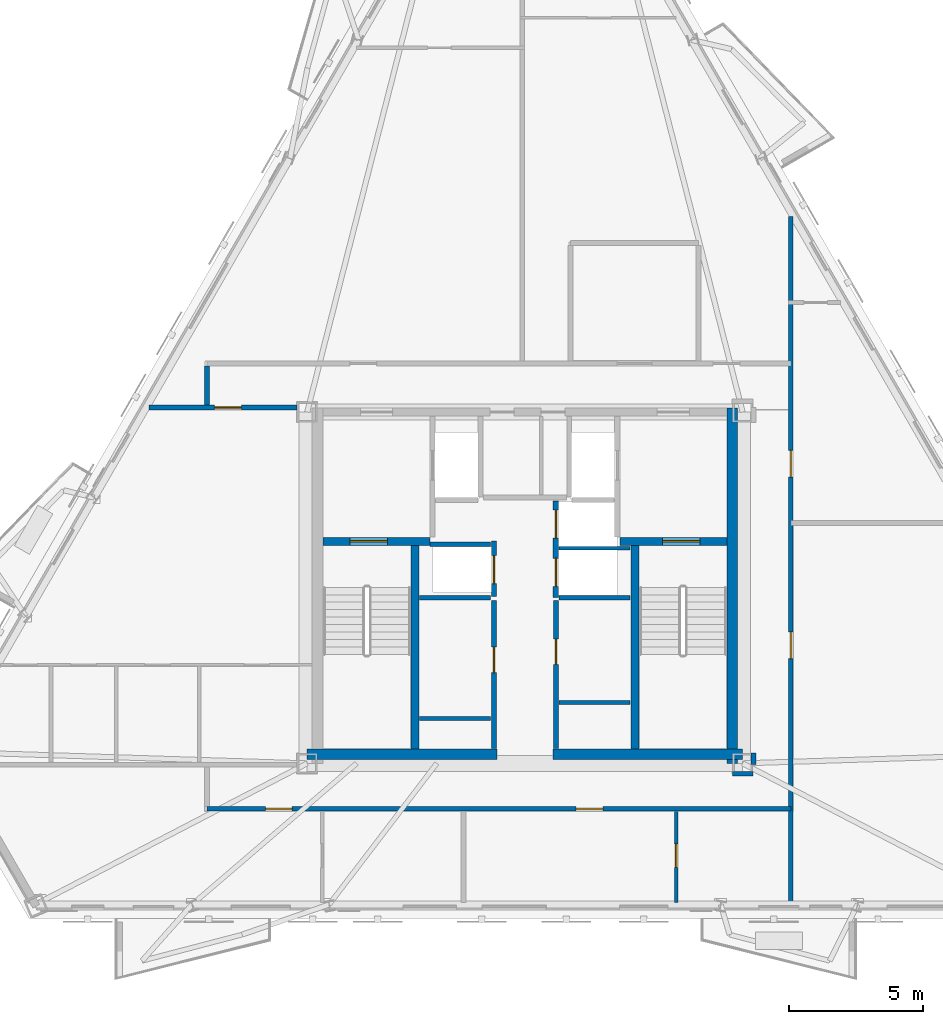
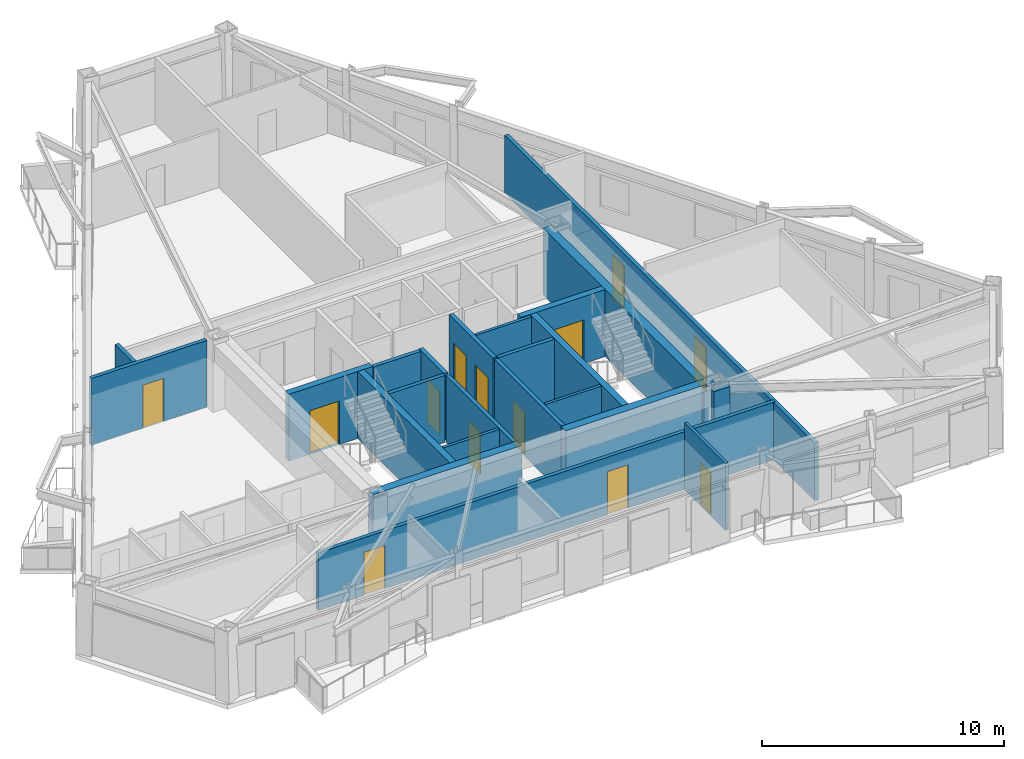
# One storey, part 3 of 8: 24 walls, 13 doors, 13 openings.
"""IFC4 building model written with IfcOpenShell, lengths in metres."""

from ifc_helpers import new_model, si_unit, direction, frame, frame_2d, origin, place, context, subcontext, project, spatial, rectangle, extrude, material, layer, layer_set, type_object, element, fill, save


model = new_model("IFC4")

# Units and contexts
model_context = context("Model", 3, precision=1e-05, world=origin(), true_north=direction((0.0, 1.0)))
body_context = subcontext(model_context, "Body", "Model", "MODEL_VIEW")
ifc_project = project(units=[si_unit("LENGTHUNIT", "METRE"), si_unit("AREAUNIT", "SQUARE_METRE"), si_unit("VOLUMEUNIT", "CUBIC_METRE"), si_unit("PLANEANGLEUNIT", "RADIAN"), si_unit("MASSUNIT", "GRAM", prefix="KILO")], contexts=[model_context])

# Site, building, storey
site_placement = place(None, origin())
site = spatial("IfcSite", under=ifc_project, at=site_placement, CompositionType="ELEMENT")
building_placement = place(site_placement, origin())
building = spatial("IfcBuilding", under=site, at=building_placement, Name="Oramaril Tower", CompositionType="ELEMENT")
storey_placement = place(building_placement, frame((0.0, 0.0, 216.300048828125)))
storey = spatial("IfcBuildingStorey", under=building, at=storey_placement, Name="L57", CompositionType="ELEMENT", Elevation=216.300048828125)

# Walls
ifc_material_1 = material(Name="Acoustic Gypsum Board Partition")
ifc_layer_1 = layer(ifc_material_1, 0.139892578125)
ifc_layer_set_1 = layer_set([ifc_layer_1], Name="WT-PT14")
wall_type_1 = type_object("IfcWallType", Name="WT-PT14", PredefinedType="PARTITIONING", material=ifc_layer_set_1)
for number, where, z_axis, x_axis, name in (
    (1, (33.56005859375, 12.679931640625, 0.0), (0.0, 0.0, 1.0), (1.0, 0.0, 0.0), "L57 Freed Shaft South Closure"),
    (2, (38.780029296875, 19.050048828125, 0.0), (0.0, 0.0, 1.0), (1.0, 0.0, 0.0), "L57 High-Rise Lift H2-H3 Divider"),
    (3, (38.780029296875, 13.280029296875, 0.0), (0.0, 0.0, 1.0), (1.0, 0.0, 0.0), "L57 Freed Shaft South Closure"),
):
    element("IfcWall", number, at=place(storey_placement, frame(where, z_axis=z_axis, x_axis=x_axis)), inside=storey, type_object=wall_type_1, Name=name, PredefinedType="PARTITIONING", context=body_context, shape_type="SweptSolid", body=[
        extrude(rectangle(XDim=2.659912109375, YDim=0.139892578125, at=frame_2d((1.330078125, 0.0))), origin(), (0.0, 0.0, 1.0), 3.3798828125),
    ])

# Wall, opening, door
wall_1_placement = place(storey_placement, frame((43.159912109375, 5.80078125, 0.0), z_axis=(0.0, 0.0, 1.0), x_axis=(0.0, 1.0, 0.0)))
wall_1 = element("IfcWall", 4, at=wall_1_placement, inside=storey, type_object=wall_type_1, Name="L57 Interior Partition PT-14", PredefinedType="PARTITIONING", context=body_context, shape_type="SweptSolid", body=[
    extrude(rectangle(XDim=3.4052734375, YDim=0.139892578125, at=frame_2d((1.70263671875, 0.0))), origin(), (0.0, 0.0, 1.0), 3.3798828125),
])
opening_1_placement = place(wall_1_placement, frame((1.310302734375, 0.0, 0.0)))
opening_1 = element("IfcOpeningElement", 5, at=opening_1_placement, cuts=wall_1, Name="Opening D-L57-15", PredefinedType="OPENING", context=body_context, shape_type="SweptSolid", body=[
    extrude(rectangle(XDim=0.8798828125, YDim=2.080078125, at=frame_2d((0.43994140625, 1.0400390625))), frame((0.0, 0.06982421875, 0.0), z_axis=(0.0, -1.0, 0.0), x_axis=(1.0, 0.0, 0.0)), (0.0, 0.0, 1.0), 0.139892578125),
])
ifc_material_2 = material(Name="FSC Brazilian Freijo Hardwood", Category="wood")
door_type_1 = type_object("IfcDoorType", Name="DT-BATH", OperationType="NOTDEFINED", PredefinedType="DOOR", material=ifc_material_2)
door_1_placement = place(opening_1_placement, origin())
door_1 = element("IfcDoor", 6, at=door_1_placement, inside=storey, type_object=door_type_1, Name="L57 Flat L57-U2 Bathroom Door D-L57-15", OperationType="SINGLE_SWING_LEFT", OverallHeight=2.080078125, OverallWidth=0.8798828125, PredefinedType="DOOR", context=body_context, shape_type="SweptSolid", body=[
    extrude(rectangle(XDim=0.8798828125, YDim=2.080078125, at=frame_2d((0.43994140625, 1.0400390625))), frame((0.0, 0.02490234375, 0.0), z_axis=(0.0, -1.0, 0.0), x_axis=(1.0, 0.0, 0.0)), (0.0, 0.0, 1.0), 0.050048828125),
])
fill(opening_1, door_1)

# Walls
ifc_material_3 = material(Name="Autoclaved Cellular Concrete Block", Category="concrete")
ifc_layer_2 = layer(ifc_material_3, 0.179931640625)
ifc_layer_set_2 = layer_set([ifc_layer_2], Name="WT-PT18")
wall_type_2 = type_object("IfcWallType", Name="WT-PT18", PredefinedType="PARTITIONING", material=ifc_layer_set_2)
wall_2_placement = place(storey_placement, frame((33.949951171875, 19.199951171875, 0.0), z_axis=(0.0, 0.0, 1.0), x_axis=(1.0, 0.0, 0.0)))
element("IfcWall", 7, at=wall_2_placement, inside=storey, type_object=wall_type_2, Name="L57 High-Rise Lift H1 North Shaft Wall", PredefinedType="PARTITIONING", context=body_context, shape_type="SweptSolid", body=[
    extrude(rectangle(XDim=2.27001953125, YDim=0.179931640625, at=frame_2d((1.135009765625, 0.0))), origin(), (0.0, 0.0, 1.0), 3.3798828125),
])
wall_3_placement = place(storey_placement, frame((33.56005859375, 17.199951171875, 0.0), z_axis=(0.0, 0.0, 1.0), x_axis=(1.0, 0.0, 0.0)))
element("IfcWall", 8, at=wall_3_placement, inside=storey, type_object=wall_type_2, Name="L57 High-Rise Lift H1 South Wall", PredefinedType="PARTITIONING", context=body_context, shape_type="SweptSolid", body=[
    extrude(rectangle(XDim=2.659912109375, YDim=0.179931640625, at=frame_2d((1.330078125, 0.0))), origin(), (0.0, 0.0, 1.0), 3.3798828125),
])

# Wall, opening, door
wall_4_placement = place(storey_placement, frame((36.340087890625, 11.550048828125, 0.0), z_axis=(0.0, 0.0, 1.0), x_axis=(0.0, 1.0, 0.0)))
wall_4 = element("IfcWall", 9, at=wall_4_placement, inside=storey, type_object=wall_type_2, Name="L57 Freed Shaft Study East Wall", PredefinedType="PARTITIONING", context=body_context, shape_type="SweptSolid", body=[
    extrude(rectangle(XDim=5.550048828125, YDim=0.179931640625, at=frame_2d((2.77490234375, 0.0))), origin(), (0.0, 0.0, 1.0), 3.3798828125),
])
opening_2_placement = place(wall_4_placement, frame((2.85009765625, 0.0, 0.0)))
opening_2 = element("IfcOpeningElement", 10, at=opening_2_placement, cuts=wall_4, Name="Opening D-L57-FL1", PredefinedType="OPENING", context=body_context, shape_type="SweptSolid", body=[
    extrude(rectangle(XDim=0.949951171875, YDim=2.10009765625, at=frame_2d((0.47509765625, 1.050048828125))), frame((0.0, 0.08984375, 0.0), z_axis=(0.0, -1.0, 0.0), x_axis=(1.0, 0.0, 0.0)), (0.0, 0.0, 1.0), 0.179931640625),
])
ifc_material_4 = material(Name="FSC Brazilian Freijo Hardwood", Category="wood")
door_type_2 = type_object("IfcDoorType", Name="DT-STDY", OperationType="NOTDEFINED", PredefinedType="DOOR", material=ifc_material_4)
door_2_placement = place(opening_2_placement, origin())
door_2 = element("IfcDoor", 11, at=door_2_placement, inside=storey, type_object=door_type_2, Name="L57 L57 Residents Library Study Door", OperationType="SINGLE_SWING_LEFT", OverallHeight=2.10009765625, OverallWidth=0.949951171875, PredefinedType="DOOR", context=body_context, shape_type="SweptSolid", body=[
    extrude(rectangle(XDim=0.949951171875, YDim=2.10009765625, at=frame_2d((0.47509765625, 1.050048828125))), frame((0.0, 0.02490234375, 0.0), z_axis=(0.0, -1.0, 0.0), x_axis=(1.0, 0.0, 0.0)), (0.0, 0.0, 1.0), 0.050048828125),
])
fill(opening_2, door_2)

# Wall
wall_5_placement = place(storey_placement, frame((38.780029296875, 17.199951171875, 0.0), z_axis=(0.0, 0.0, 1.0), x_axis=(1.0, 0.0, 0.0)))
element("IfcWall", 12, at=wall_5_placement, inside=storey, type_object=wall_type_2, Name="L57 High-Rise Lift H2 South Wall", PredefinedType="PARTITIONING", context=body_context, shape_type="SweptSolid", body=[
    extrude(rectangle(XDim=2.659912109375, YDim=0.179931640625, at=frame_2d((1.330078125, 0.0))), origin(), (0.0, 0.0, 1.0), 3.3798828125),
])

# Wall, opening, door
wall_6_placement = place(storey_placement, frame((38.659912109375, 11.550048828125, 0.0), z_axis=(0.0, 0.0, 1.0), x_axis=(0.0, 1.0, 0.0)))
wall_6 = element("IfcWall", 13, at=wall_6_placement, inside=storey, type_object=wall_type_2, Name="L57 Freed Shaft Alcove West Wall", PredefinedType="PARTITIONING", context=body_context, shape_type="SweptSolid", body=[
    extrude(rectangle(XDim=5.550048828125, YDim=0.179931640625, at=frame_2d((2.77490234375, 0.0))), origin(), (0.0, 0.0, 1.0), 3.3798828125),
])
opening_3_placement = place(wall_6_placement, frame((3.14990234375, 0.0, 0.0)))
opening_3 = element("IfcOpeningElement", 14, at=opening_3_placement, cuts=wall_6, Name="Opening D-L57-FM1", PredefinedType="OPENING", context=body_context, shape_type="SweptSolid", body=[
    extrude(rectangle(XDim=0.949951171875, YDim=2.10009765625, at=frame_2d((0.47509765625, 1.050048828125))), frame((0.0, 0.08984375, 0.0), z_axis=(0.0, -1.0, 0.0), x_axis=(1.0, 0.0, 0.0)), (0.0, 0.0, 1.0), 0.179931640625),
])
door_3_placement = place(opening_3_placement, origin())
door_3 = element("IfcDoor", 15, at=door_3_placement, inside=storey, type_object=door_type_2, Name="L57 L57 Sky Consulting Office Door", OperationType="SINGLE_SWING_RIGHT", OverallHeight=2.10009765625, OverallWidth=0.949951171875, PredefinedType="DOOR", context=body_context, shape_type="SweptSolid", body=[
    extrude(rectangle(XDim=0.949951171875, YDim=2.10009765625, at=frame_2d((0.47509765625, 1.050048828125))), frame((0.0, 0.02490234375, 0.0), z_axis=(0.0, -1.0, 0.0), x_axis=(1.0, 0.0, 0.0)), (0.0, 0.0, 1.0), 0.050048828125),
])
fill(opening_3, door_3)

# Wall, openings, doors
wall_7_placement = place(storey_placement, frame((25.60009765625, 9.300048828125, 0.0), z_axis=(0.0, 0.0, 1.0), x_axis=(1.0, 0.0, 0.0)))
wall_7 = element("IfcWall", 16, at=wall_7_placement, inside=storey, type_object=wall_type_2, Name="L57 Interior Partition PT-18", PredefinedType="PARTITIONING", context=body_context, shape_type="SweptSolid", body=[
    extrude(rectangle(XDim=21.849853515625, YDim=0.179931640625, at=frame_2d((10.9248046875, 0.0))), origin(), (0.0, 0.0, 1.0), 2.912841796875),
])
opening_4_placement = place(wall_7_placement, frame((2.19140625, 0.0, 0.0)))
opening_4 = element("IfcOpeningElement", 17, at=opening_4_placement, cuts=wall_7, Name="Opening D-L57-01", PredefinedType="OPENING", context=body_context, shape_type="SweptSolid", body=[
    extrude(rectangle(XDim=1.0, YDim=2.179931640625, at=frame_2d((0.5, 1.08984375))), frame((0.0, 0.08984375, 0.0), z_axis=(0.0, -1.0, 0.0), x_axis=(1.0, 0.0, 0.0)), (0.0, 0.0, 1.0), 0.179931640625),
])
opening_5_placement = place(wall_7_placement, frame((13.816650390625, 0.0, 0.0)))
opening_5 = element("IfcOpeningElement", 18, at=opening_5_placement, cuts=wall_7, Name="Opening D-L57-02", PredefinedType="OPENING", context=body_context, shape_type="SweptSolid", body=[
    extrude(rectangle(XDim=1.0, YDim=2.179931640625, at=frame_2d((0.5, 1.08984375))), frame((0.0, 0.08984375, 0.0), z_axis=(0.0, -1.0, 0.0), x_axis=(1.0, 0.0, 0.0)), (0.0, 0.0, 1.0), 0.179931640625),
])
ifc_material_5 = material(Name="FSC Brazilian Freijo Hardwood", Category="wood")
door_type_3 = type_object("IfcDoorType", Name="DT-APT", OperationType="NOTDEFINED", PredefinedType="DOOR", material=ifc_material_5)
door_4_placement = place(opening_4_placement, origin())
door_4 = element("IfcDoor", 19, at=door_4_placement, inside=storey, type_object=door_type_3, Name="L57 Flat L57-U1 Kitchen and Studio Apartment Door D-L57-01", OperationType="SINGLE_SWING_LEFT", OverallHeight=2.179931640625, OverallWidth=1.0, PredefinedType="DOOR", context=body_context, shape_type="SweptSolid", body=[
    extrude(rectangle(XDim=1.0, YDim=2.179931640625, at=frame_2d((0.5, 1.08984375))), frame((0.0, 0.02490234375, 0.0), z_axis=(0.0, -1.0, 0.0), x_axis=(1.0, 0.0, 0.0)), (0.0, 0.0, 1.0), 0.050048828125),
])
fill(opening_4, door_4)
door_5_placement = place(opening_5_placement, origin())
door_5 = element("IfcDoor", 20, at=door_5_placement, inside=storey, type_object=door_type_3, Name="L57 Flat L57-U2 Kitchen and Studio Apartment Door D-L57-02", OperationType="SINGLE_SWING_RIGHT", OverallHeight=2.179931640625, OverallWidth=1.0, PredefinedType="DOOR", context=body_context, shape_type="SweptSolid", body=[
    extrude(rectangle(XDim=1.0, YDim=2.179931640625, at=frame_2d((0.5, 1.08984375))), frame((0.0, 0.02490234375, 0.0), z_axis=(0.0, -1.0, 0.0), x_axis=(1.0, 0.0, 0.0)), (0.0, 0.0, 1.0), 0.050048828125),
])
fill(opening_5, door_5)

# Wall
wall_8_placement = place(storey_placement, frame((45.260009765625, 10.610107421875, 0.0), z_axis=(0.0, 0.0, 1.0), x_axis=(1.0, 0.0, 0.0)))
element("IfcWall", 21, at=wall_8_placement, inside=storey, type_object=wall_type_2, Name="L57 Interior Partition PT-18", PredefinedType="PARTITIONING", context=body_context, shape_type="SweptSolid", body=[
    extrude(rectangle(XDim=0.780029296875, YDim=0.179931640625, at=frame_2d((0.39013671875, 0.0))), origin(), (0.0, 0.0, 1.0), 3.3798828125),
])

# Wall, opening, door
wall_9_placement = place(storey_placement, frame((23.425048828125, 24.320068359375, 0.0), z_axis=(0.0, 0.0, 1.0), x_axis=(1.0, 0.0, 0.0)))
wall_9 = element("IfcWall", 22, at=wall_9_placement, inside=storey, type_object=wall_type_2, Name="L57 Interior Partition PT-18", PredefinedType="PARTITIONING", context=body_context, shape_type="SweptSolid", body=[
    extrude(rectangle(XDim=5.534912109375, YDim=0.179931640625, at=frame_2d((2.767578125, 0.0))), origin(), (0.0, 0.0, 1.0), 3.3798828125),
])
opening_6_placement = place(wall_9_placement, frame((2.463134765625, 0.0, 0.0)))
opening_6 = element("IfcOpeningElement", 23, at=opening_6_placement, cuts=wall_9, Name="Opening D-L57-07", PredefinedType="OPENING", context=body_context, shape_type="SweptSolid", body=[
    extrude(rectangle(XDim=1.0, YDim=2.179931640625, at=frame_2d((0.5, 1.08984375))), frame((0.0, 0.08984375, 0.0), z_axis=(0.0, -1.0, 0.0), x_axis=(1.0, 0.0, 0.0)), (0.0, 0.0, 1.0), 0.179931640625),
])
door_6_placement = place(opening_6_placement, origin())
door_6 = element("IfcDoor", 24, at=door_6_placement, inside=storey, type_object=door_type_3, Name="L57 Flat L57-U3 Penthouse Living and Dining Room Door D-L57-07", OperationType="SINGLE_SWING_LEFT", OverallHeight=2.179931640625, OverallWidth=1.0, PredefinedType="DOOR", context=body_context, shape_type="SweptSolid", body=[
    extrude(rectangle(XDim=1.0, YDim=2.179931640625, at=frame_2d((0.5, 1.08984375))), frame((0.0, 0.02490234375, 0.0), z_axis=(0.0, -1.0, 0.0), x_axis=(1.0, 0.0, 0.0)), (0.0, 0.0, 1.0), 0.050048828125),
])
fill(opening_6, door_6)

# Walls
wall_10_placement = place(storey_placement, frame((25.60009765625, 24.4140625, 0.0), z_axis=(0.0, 0.0, 1.0), x_axis=(0.0, 1.0, 0.0)))
element("IfcWall", 25, at=wall_10_placement, inside=storey, type_object=wall_type_2, Name="L57 Interior Partition PT-18", PredefinedType="PARTITIONING", context=body_context, shape_type="SweptSolid", body=[
    extrude(rectangle(XDim=1.4619140625, YDim=0.179931640625, at=frame_2d((0.73095703125, 0.0))), origin(), (0.0, 0.0, 1.0), 3.3798828125),
])
wall_11_placement = place(storey_placement, frame((46.050048828125, 10.949951171875, 0.0), z_axis=(0.0, 0.0, 1.0), x_axis=(0.0, 1.0, 0.0)))
element("IfcWall", 26, at=wall_11_placement, inside=storey, type_object=wall_type_2, Name="L57 Interior Partition PT-18", PredefinedType="PARTITIONING", context=body_context, shape_type="SweptSolid", body=[
    extrude(rectangle(XDim=0.445068359375, YDim=0.179931640625, at=frame_2d((0.22265625, 0.0))), origin(), (0.0, 0.0, 1.0), 2.912841796875),
])

# Wall, openings, doors
wall_12_placement = place(storey_placement, frame((47.449951171875, 5.80078125, 0.0), z_axis=(0.0, 0.0, 1.0), x_axis=(0.0, 1.0, 0.0)))
wall_12 = element("IfcWall", 27, at=wall_12_placement, inside=storey, type_object=wall_type_2, Name="L57 Interior Partition PT-18", PredefinedType="PARTITIONING", context=body_context, shape_type="SweptSolid", body=[
    extrude(rectangle(XDim=25.663818359375, YDim=0.179931640625, at=frame_2d((12.83203125, 0.0))), origin(), (0.0, 0.0, 1.0), 2.912841796875),
])
opening_7_placement = place(wall_12_placement, frame((9.12158203125, 0.0, 0.0)))
opening_7 = element("IfcOpeningElement", 28, at=opening_7_placement, cuts=wall_12, Name="Opening D-L57-16", PredefinedType="OPENING", context=body_context, shape_type="SweptSolid", body=[
    extrude(rectangle(XDim=1.0, YDim=2.179931640625, at=frame_2d((0.5, 1.08984375))), frame((0.0, 0.08984375, 0.0), z_axis=(0.0, -1.0, 0.0), x_axis=(1.0, 0.0, 0.0)), (0.0, 0.0, 1.0), 0.179931640625),
])
opening_8_placement = place(wall_12_placement, frame((15.91162109375, 0.0, 0.0)))
opening_8 = element("IfcOpeningElement", 29, at=opening_8_placement, cuts=wall_12, Name="Opening D-L57-17", PredefinedType="OPENING", context=body_context, shape_type="SweptSolid", body=[
    extrude(rectangle(XDim=1.0, YDim=2.179931640625, at=frame_2d((0.5, 1.08984375))), frame((0.0, 0.08984375, 0.0), z_axis=(0.0, -1.0, 0.0), x_axis=(1.0, 0.0, 0.0)), (0.0, 0.0, 1.0), 0.179931640625),
])
door_7_placement = place(opening_7_placement, origin())
door_7 = element("IfcDoor", 30, at=door_7_placement, inside=storey, type_object=door_type_3, Name="L57 Flat L57-U4 Penthouse Living and Dining Room Door D-L57-16", OperationType="SINGLE_SWING_RIGHT", OverallHeight=2.179931640625, OverallWidth=1.0, PredefinedType="DOOR", context=body_context, shape_type="SweptSolid", body=[
    extrude(rectangle(XDim=1.0, YDim=2.179931640625, at=frame_2d((0.5, 1.08984375))), frame((0.0, 0.02490234375, 0.0), z_axis=(0.0, -1.0, 0.0), x_axis=(1.0, 0.0, 0.0)), (0.0, 0.0, 1.0), 0.050048828125),
])
fill(opening_7, door_7)
door_8_placement = place(opening_8_placement, origin())
door_8 = element("IfcDoor", 31, at=door_8_placement, inside=storey, type_object=door_type_3, Name="L57 Flat L57-U5 Kitchen and Studio Apartment Door D-L57-17", OperationType="SINGLE_SWING_LEFT", OverallHeight=2.179931640625, OverallWidth=1.0, PredefinedType="DOOR", context=body_context, shape_type="SweptSolid", body=[
    extrude(rectangle(XDim=1.0, YDim=2.179931640625, at=frame_2d((0.5, 1.08984375))), frame((0.0, 0.02490234375, 0.0), z_axis=(0.0, -1.0, 0.0), x_axis=(1.0, 0.0, 0.0)), (0.0, 0.0, 1.0), 0.050048828125),
])
fill(opening_8, door_8)

# Wall, opening, door
ifc_material_6 = material(Name="Concrete C50/60", Category="concrete")
ifc_layer_3 = layer(ifc_material_6, 0.300048828125)
ifc_layer_set_3 = layer_set([ifc_layer_3], Name="WT-SH30")
wall_type_3 = type_object("IfcWallType", Name="WT-SH30", PredefinedType="SHEAR", material=ifc_layer_set_3)
wall_13_placement = place(storey_placement, frame((29.93994140625, 19.31005859375, 0.0), z_axis=(0.0, 0.0, 1.0), x_axis=(1.0, 0.0, 0.0)))
wall_13 = element("IfcWall", 32, at=wall_13_placement, inside=storey, type_object=wall_type_3, Name="L57 Core Shear Wall CW-ST1N", PredefinedType="SHEAR", context=body_context, shape_type="SweptSolid", body=[
    extrude(rectangle(XDim=4.010009765625, YDim=0.300048828125, at=frame_2d((2.0048828125, 0.0))), origin(), (0.0, 0.0, 1.0), 3.3798828125),
])
opening_9_placement = place(wall_13_placement, frame((1.010009765625, 0.0, 0.0)))
opening_9 = element("IfcOpeningElement", 33, at=opening_9_placement, cuts=wall_13, Name="Opening D-L57-ST1", PredefinedType="OPENING", context=body_context, shape_type="SweptSolid", body=[
    extrude(rectangle(XDim=1.39990234375, YDim=2.199951171875, at=frame_2d((0.699951171875, 1.10009765625))), frame((0.0, 0.14990234375, 0.0), z_axis=(0.0, -1.0, 0.0), x_axis=(1.0, 0.0, 0.0)), (0.0, 0.0, 1.0), 0.300048828125),
])
ifc_material_7 = material(Name="Painted Galvanised Steel", Category="steel")
door_type_4 = type_object("IfcDoorType", Name="DT-ST", OperationType="NOTDEFINED", PredefinedType="DOOR", material=ifc_material_7)
door_9_placement = place(opening_9_placement, origin())
door_9 = element("IfcDoor", 34, at=door_9_placement, inside=storey, type_object=door_type_4, Name="L57 Protected Stair ST-1 Fire Door", OperationType="SINGLE_SWING_LEFT", OverallHeight=2.199951171875, OverallWidth=1.39990234375, PredefinedType="DOOR", context=body_context, shape_type="SweptSolid", body=[
    extrude(rectangle(XDim=1.39990234375, YDim=2.199951171875, at=frame_2d((0.699951171875, 1.10009765625))), frame((0.0, 0.02490234375, 0.0), z_axis=(0.0, -1.0, 0.0), x_axis=(1.0, 0.0, 0.0)), (0.0, 0.0, 1.0), 0.050048828125),
])
fill(opening_9, door_9)

wall_14_placement = place(storey_placement, frame((41.050048828125, 19.31005859375, 0.0), z_axis=(0.0, 0.0, 1.0), x_axis=(1.0, 0.0, 0.0)))
wall_14 = element("IfcWall", 35, at=wall_14_placement, inside=storey, type_object=wall_type_3, Name="L57 Core Shear Wall CW-ST2N", PredefinedType="SHEAR", context=body_context, shape_type="SweptSolid", body=[
    extrude(rectangle(XDim=4.010009765625, YDim=0.300048828125, at=frame_2d((2.0048828125, 0.0))), origin(), (0.0, 0.0, 1.0), 3.3798828125),
])
opening_10_placement = place(wall_14_placement, frame((1.60009765625, 0.0, 0.0)))
opening_10 = element("IfcOpeningElement", 36, at=opening_10_placement, cuts=wall_14, Name="Opening D-L57-ST2", PredefinedType="OPENING", context=body_context, shape_type="SweptSolid", body=[
    extrude(rectangle(XDim=1.39990234375, YDim=2.199951171875, at=frame_2d((0.699951171875, 1.10009765625))), frame((0.0, 0.14990234375, 0.0), z_axis=(0.0, -1.0, 0.0), x_axis=(1.0, 0.0, 0.0)), (0.0, 0.0, 1.0), 0.300048828125),
])
door_10_placement = place(opening_10_placement, origin())
door_10 = element("IfcDoor", 37, at=door_10_placement, inside=storey, type_object=door_type_4, Name="L57 Protected Stair ST-2 Fire Door", OperationType="SINGLE_SWING_RIGHT", OverallHeight=2.199951171875, OverallWidth=1.39990234375, PredefinedType="DOOR", context=body_context, shape_type="SweptSolid", body=[
    extrude(rectangle(XDim=1.39990234375, YDim=2.199951171875, at=frame_2d((0.699951171875, 1.10009765625))), frame((0.0, 0.02490234375, 0.0), z_axis=(0.0, -1.0, 0.0), x_axis=(1.0, 0.0, 0.0)), (0.0, 0.0, 1.0), 0.050048828125),
])
fill(opening_10, door_10)

# Walls
for number, where, z_axis, x_axis, name in (
    (38, (33.3798828125, 11.5400390625, 0.0), (0.0, 0.0, 1.0), (0.0, 1.0, 0.0), "L57 Core Shear Wall CW-ST1E"),
    (39, (41.6201171875, 11.5400390625, 0.0), (0.0, 0.0, 1.0), (0.0, 1.0, 0.0), "L57 Core Shear Wall CW-ST2W"),
):
    element("IfcWall", number, at=place(storey_placement, frame(where, z_axis=z_axis, x_axis=x_axis)), inside=storey, type_object=wall_type_3, Name=name, PredefinedType="SHEAR", context=body_context, shape_type="SweptSolid", body=[
        extrude(rectangle(XDim=7.619873046875, YDim=0.300048828125, at=frame_2d((3.81005859375, 0.0))), origin(), (0.0, 0.0, 1.0), 3.3798828125),
    ])
ifc_material_8 = material(Name="Concrete C50/60", Category="concrete")
ifc_layer_4 = layer(ifc_material_8, 0.39990234375)
ifc_layer_set_4 = layer_set([ifc_layer_4], Name="WT-SH40")
wall_type_4 = type_object("IfcWallType", Name="WT-SH40", PredefinedType="SHEAR", material=ifc_layer_set_4)
wall_15_placement = place(storey_placement, frame((45.260009765625, 11.0, 0.0), z_axis=(0.0, 0.0, 1.0), x_axis=(0.0, 1.0, 0.0)))
element("IfcWall", 40, at=wall_15_placement, inside=storey, type_object=wall_type_4, Name="L57 Core Shear Wall CW-E", PredefinedType="SHEAR", context=body_context, shape_type="SweptSolid", body=[
    extrude(rectangle(XDim=13.300048828125, YDim=0.39990234375, at=frame_2d((6.64990234375, 0.0))), origin(), (0.0, 0.0, 1.0), 3.3798828125),
])
for number, where, z_axis, x_axis, name in (
    (41, (29.35009765625, 11.340087890625, 0.0), (0.0, 0.0, 1.0), (1.0, 0.0, 0.0), "L57 Core Shear Wall CW-SW"),
    (42, (38.550048828125, 11.340087890625, 0.0), (0.0, 0.0, 1.0), (1.0, 0.0, 0.0), "L57 Core Shear Wall CW-SE"),
):
    element("IfcWall", number, at=place(storey_placement, frame(where, z_axis=z_axis, x_axis=x_axis)), inside=storey, type_object=wall_type_4, Name=name, PredefinedType="SHEAR", context=body_context, shape_type="SweptSolid", body=[
        extrude(rectangle(XDim=7.099853515625, YDim=0.39990234375, at=frame_2d((3.5498046875, 0.0))), origin(), (0.0, 0.0, 1.0), 3.3798828125),
    ])

# Wall, opening, door
ifc_material_9 = material(Name="Autoclaved Cellular Concrete Block", Category="concrete")
ifc_layer_5 = layer(ifc_material_9, 0.199951171875)
ifc_layer_set_5 = layer_set([ifc_layer_5], Name="WT-SHF20")
wall_type_5 = type_object("IfcWallType", Name="WT-SHF20", PredefinedType="PARTITIONING", material=ifc_layer_set_5)
wall_16_placement = place(storey_placement, frame((36.340087890625, 17.25, 0.0), z_axis=(0.0, 0.0, 1.0), x_axis=(0.0, 1.0, 0.0)))
wall_16 = element("IfcWall", 43, at=wall_16_placement, inside=storey, type_object=wall_type_5, Name="L57 High-Rise Lift H1 Front Wall", PredefinedType="PARTITIONING", context=body_context, shape_type="SweptSolid", body=[
    extrude(rectangle(XDim=2.070068359375, YDim=0.199951171875, at=frame_2d((1.03515625, 0.0))), origin(), (0.0, 0.0, 1.0), 3.3798828125),
])
opening_11_placement = place(wall_16_placement, frame((0.47509765625, 0.0, 0.0)))
opening_11 = element("IfcOpeningElement", 44, at=opening_11_placement, cuts=wall_16, Name="Opening LD-L57-LP-H1", PredefinedType="OPENING", context=body_context, shape_type="SweptSolid", body=[
    extrude(rectangle(XDim=1.050048828125, YDim=2.14990234375, at=frame_2d((0.52490234375, 1.074951171875))), frame((0.0, 0.10009765625, 0.0), z_axis=(0.0, -1.0, 0.0), x_axis=(1.0, 0.0, 0.0)), (0.0, 0.0, 1.0), 0.199951171875),
])
ifc_material_10 = material(Name="Stainless Steel 316L", Category="steel")
door_type_5 = type_object("IfcDoorType", Name="DT-LD2", OperationType="NOTDEFINED", PredefinedType="DOOR", material=ifc_material_10)
door_11_placement = place(opening_11_placement, origin())
door_11 = element("IfcDoor", 45, at=door_11_placement, inside=storey, type_object=door_type_5, Name="L57 Lift LP-H1 Sliding Landing Door", OperationType="SLIDING_TO_LEFT", OverallHeight=2.14990234375, OverallWidth=1.050048828125, PredefinedType="DOOR", context=body_context, shape_type="SweptSolid", body=[
    extrude(rectangle(XDim=1.050048828125, YDim=2.14990234375, at=frame_2d((0.52490234375, 1.074951171875))), frame((0.0, 0.02490234375, 0.0), z_axis=(0.0, -1.0, 0.0), x_axis=(1.0, 0.0, 0.0)), (0.0, 0.0, 1.0), 0.050048828125),
])
fill(opening_11, door_11)

# Wall, openings, doors
wall_17_placement = place(storey_placement, frame((38.659912109375, 17.199951171875, 0.0), z_axis=(0.0, 0.0, 1.0), x_axis=(0.0, 1.0, 0.0)))
wall_17 = element("IfcWall", 46, at=wall_17_placement, inside=storey, type_object=wall_type_5, Name="L57 High-Rise Lift H2-H3 Front Wall", PredefinedType="PARTITIONING", context=body_context, shape_type="SweptSolid", body=[
    extrude(rectangle(XDim=3.6201171875, YDim=0.199951171875, at=frame_2d((1.81005859375, 0.0))), origin(), (0.0, 0.0, 1.0), 3.3798828125),
])
opening_12_placement = place(wall_17_placement, frame((0.425048828125, 0.0, 0.0)))
opening_12 = element("IfcOpeningElement", 47, at=opening_12_placement, cuts=wall_17, Name="Opening LD-L57-LP-H2", PredefinedType="OPENING", context=body_context, shape_type="SweptSolid", body=[
    extrude(rectangle(XDim=1.050048828125, YDim=2.14990234375, at=frame_2d((0.52490234375, 1.074951171875))), frame((0.0, 0.10009765625, 0.0), z_axis=(0.0, -1.0, 0.0), x_axis=(1.0, 0.0, 0.0)), (0.0, 0.0, 1.0), 0.199951171875),
])
opening_13_placement = place(wall_17_placement, frame((2.22509765625, 0.0, 0.0)))
opening_13 = element("IfcOpeningElement", 48, at=opening_13_placement, cuts=wall_17, Name="Opening LD-L57-LP-H3", PredefinedType="OPENING", context=body_context, shape_type="SweptSolid", body=[
    extrude(rectangle(XDim=1.050048828125, YDim=2.14990234375, at=frame_2d((0.52490234375, 1.074951171875))), frame((0.0, 0.10009765625, 0.0), z_axis=(0.0, -1.0, 0.0), x_axis=(1.0, 0.0, 0.0)), (0.0, 0.0, 1.0), 0.199951171875),
])
door_12_placement = place(opening_12_placement, origin())
door_12 = element("IfcDoor", 49, at=door_12_placement, inside=storey, type_object=door_type_5, Name="L57 Lift LP-H2 Sliding Landing Door", OperationType="SLIDING_TO_RIGHT", OverallHeight=2.14990234375, OverallWidth=1.050048828125, PredefinedType="DOOR", context=body_context, shape_type="SweptSolid", body=[
    extrude(rectangle(XDim=1.050048828125, YDim=2.14990234375, at=frame_2d((0.52490234375, 1.074951171875))), frame((0.0, 0.02490234375, 0.0), z_axis=(0.0, -1.0, 0.0), x_axis=(1.0, 0.0, 0.0)), (0.0, 0.0, 1.0), 0.050048828125),
])
fill(opening_12, door_12)
door_13_placement = place(opening_13_placement, origin())
door_13 = element("IfcDoor", 50, at=door_13_placement, inside=storey, type_object=door_type_5, Name="L57 Lift LP-H3 Sliding Landing Door", OperationType="SLIDING_TO_LEFT", OverallHeight=2.14990234375, OverallWidth=1.050048828125, PredefinedType="DOOR", context=body_context, shape_type="SweptSolid", body=[
    extrude(rectangle(XDim=1.050048828125, YDim=2.14990234375, at=frame_2d((0.52490234375, 1.074951171875))), frame((0.0, 0.02490234375, 0.0), z_axis=(0.0, -1.0, 0.0), x_axis=(1.0, 0.0, 0.0)), (0.0, 0.0, 1.0), 0.050048828125),
])
fill(opening_13, door_13)

save(model, "model.ifc")
